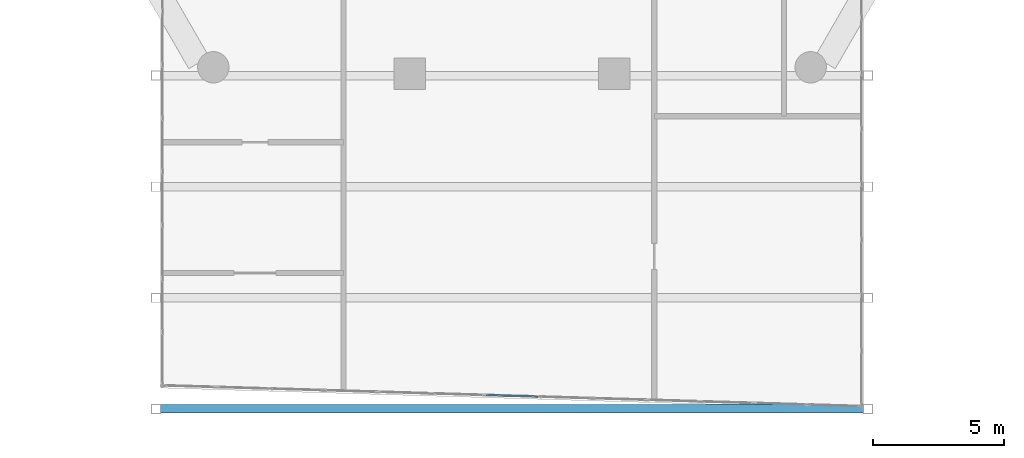
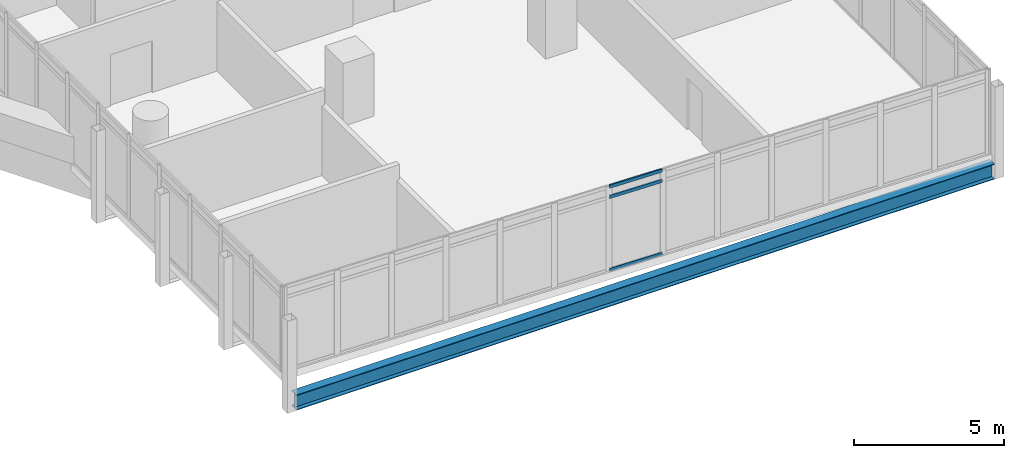
# One storey, part 4 of 28: 3 members, 1 beam, 1 element without a shape of its own.
"""IFC4 building model written with IfcOpenShell, lengths in metres."""

from ifc_helpers import new_model, si_unit, direction, frame, origin, origin_2d, place, context, subcontext, project, spatial, hollow_rectangle, i_section, extrude, material, material_profile, profile_set, type_object, element, aggregate, save


model = new_model("IFC4")

# Units and contexts
model_context = context("Model", 3, precision=1e-05, world=origin(), true_north=direction((0.0, 1.0)))
body_context = subcontext(model_context, "Body", "Model", "MODEL_VIEW")
ifc_project = project(units=[si_unit("LENGTHUNIT", "METRE"), si_unit("AREAUNIT", "SQUARE_METRE"), si_unit("VOLUMEUNIT", "CUBIC_METRE"), si_unit("PLANEANGLEUNIT", "RADIAN"), si_unit("MASSUNIT", "GRAM", prefix="KILO")], contexts=[model_context])

# Site, building, storey
site_placement = place(None, origin())
site = spatial("IfcSite", under=ifc_project, at=site_placement, CompositionType="ELEMENT")
building_placement = place(site_placement, origin())
building = spatial("IfcBuilding", under=site, at=building_placement, Name="Ostrander Bayou Hotel Tower", CompositionType="ELEMENT")
storey_placement = place(building_placement, frame((0.0, 0.0, 100.5)))
storey = spatial("IfcBuildingStorey", under=building, at=storey_placement, Name="L25", CompositionType="ELEMENT", Elevation=100.5)

# Curtain wall, members
ifc_material_1 = material(Name="Aluminium and clear glass", Category="aluminium")
curtain_wall_type = type_object("IfcCurtainWallType", Name="CW-BAR glazed wall", PredefinedType="NOTDEFINED", material=ifc_material_1)
curtain_wall_placement = place(storey_placement, origin())
curtain_wall = element("IfcCurtainWall", 1, at=curtain_wall_placement, inside=storey, type_object=curtain_wall_type, Name="CW-BAR L25:SB2S:T", PredefinedType="NOTDEFINED")
ifc_material_2 = material(Name="Aluminium", Category="aluminium")
ifc_material_profile_1 = material_profile(ifc_material_2, hollow_rectangle(XDim=0.06005859375, YDim=0.1298828125, WallThickness=0.00390625, at=origin_2d()))
ifc_profile_set_1 = profile_set([ifc_material_profile_1], Name="Aluminium")
member_type = type_object("IfcMemberType", Name="CW-BR transom 60 x 130 mm", PredefinedType="USERDEFINED", material=ifc_profile_set_1)
member_1_placement = place(storey_placement, frame((-0.998291015625, -31.67041015625, 0.030029296875), z_axis=(0.999558835181, -0.029700757758, 0.0), x_axis=(0.029700757758, 0.999558835181, 0.0)))
member_1 = element("IfcMember", 2, at=member_1_placement, type_object=member_type, Name="CW-BAR transom 7.1", ObjectType="TRANSOM", PredefinedType="USERDEFINED", context=body_context, shape_type="SweptSolid", body=[
    extrude(hollow_rectangle(XDim=0.06005859375, YDim=0.1298828125, WallThickness=0.00390625, at=origin_2d()), origin(), (0.0, 0.0, 1.0), 1.99755859375),
])
member_2_placement = place(storey_placement, frame((-0.998291015625, -31.67041015625, 3.0), z_axis=(0.999558835181, -0.029700757758, 0.0), x_axis=(0.029700757758, 0.999558835181, 0.0)))
member_2 = element("IfcMember", 3, at=member_2_placement, type_object=member_type, Name="CW-BAR transom 7.2", ObjectType="TRANSOM", PredefinedType="USERDEFINED", context=body_context, shape_type="SweptSolid", body=[
    extrude(hollow_rectangle(XDim=0.06005859375, YDim=0.1298828125, WallThickness=0.00390625, at=origin_2d()), origin(), (0.0, 0.0, 1.0), 1.99755859375),
])
member_3_placement = place(storey_placement, frame((-0.998291015625, -31.67041015625, 3.419921875), z_axis=(0.999558835181, -0.029700757758, 0.0), x_axis=(0.029700757758, 0.999558835181, 0.0)))
member_3 = element("IfcMember", 4, at=member_3_placement, type_object=member_type, Name="CW-BAR transom 7.3", ObjectType="TRANSOM", PredefinedType="USERDEFINED", context=body_context, shape_type="SweptSolid", body=[
    extrude(hollow_rectangle(XDim=0.06005859375, YDim=0.1298828125, WallThickness=0.00390625, at=origin_2d()), origin(), (0.0, 0.0, 1.0), 1.99755859375),
])
aggregate(curtain_wall, [member_1, member_2, member_3])

# Beam
ifc_material_3 = material(Name="Steel ASTM A992", Category="steel")
ifc_material_profile_2 = material_profile(ifc_material_3, i_section(OverallWidth=0.32763671875, OverallDepth=0.621826171875, WebThickness=0.015380859375, FlangeThickness=0.0244140625, at=origin_2d()))
ifc_profile_set_2 = profile_set([ifc_material_profile_2], Name="Steel ASTM A992")
beam_type = type_object("IfcBeamType", Name="TF1 bar floor beam W24x131", PredefinedType="BEAM", material=ifc_profile_set_2)
beam_placement = place(storey_placement, frame((-13.442138671875, -32.199951171875, -0.61083984375), z_axis=(1.0, 0.0, 0.0), x_axis=(0.0, 1.0, 0.0)))
element("IfcBeam", 5, at=beam_placement, inside=storey, type_object=beam_type, Name="TF1 SB2S L3-4", PredefinedType="BEAM", context=body_context, shape_type="SweptSolid", body=[
    extrude(i_section(OverallWidth=0.32763671875, OverallDepth=0.621826171875, WebThickness=0.015380859375, FlangeThickness=0.0244140625, at=origin_2d()), origin(), (0.0, 0.0, 1.0), 26.88427734375),
])

save(model, "model.ifc")
